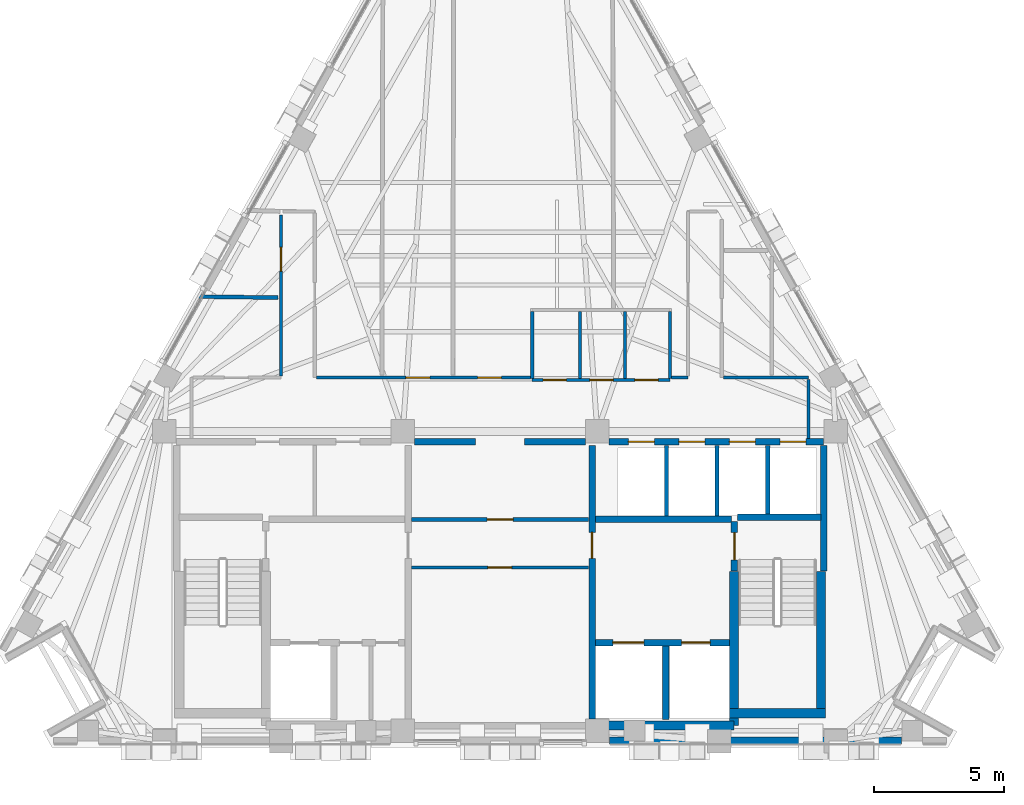
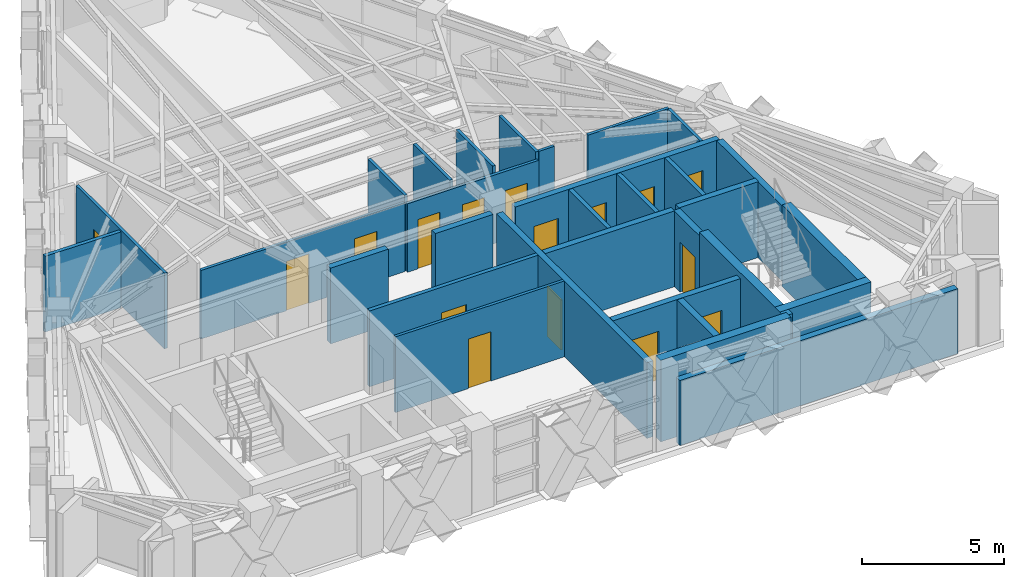
# One storey, part 7 of 10: 31 walls, 16 doors, 16 openings.
"""IFC4 building model written with IfcOpenShell, lengths in metres."""

from ifc_helpers import new_model, si_unit, direction, frame, frame_2d, origin, place, context, subcontext, project, spatial, rectangle, extrude, material, layer, layer_set, type_object, element, fill, save


model = new_model("IFC4")

# Units and contexts
model_context = context("Model", 3, precision=1e-05, world=origin(), true_north=direction((0.0, 1.0)))
body_context = subcontext(model_context, "Body", "Model", "MODEL_VIEW")
ifc_project = project(units=[si_unit("LENGTHUNIT", "METRE"), si_unit("AREAUNIT", "SQUARE_METRE"), si_unit("VOLUMEUNIT", "CUBIC_METRE"), si_unit("PLANEANGLEUNIT", "RADIAN"), si_unit("MASSUNIT", "GRAM", prefix="KILO")], contexts=[model_context])

# Site, building, storey
site_placement = place(None, origin())
site = spatial("IfcSite", under=ifc_project, at=site_placement, CompositionType="ELEMENT")
building_placement = place(site_placement, origin())
building = spatial("IfcBuilding", under=site, at=building_placement, Name="Quenlor Broadcast Tower", CompositionType="ELEMENT")
storey_placement = place(building_placement, frame((0.0, 0.0, 232.39990234375)))
storey = spatial("IfcBuildingStorey", under=building, at=storey_placement, Name="L64", CompositionType="ELEMENT", Elevation=232.39990234375)

# Walls
ifc_material_1 = material(Name="Acoustic Double Stud Gypsum Partition", Category="other")
ifc_layer_1 = layer(ifc_material_1, 0.14990234375)
ifc_layer_set_1 = layer_set([ifc_layer_1], Name="Broadcast Studio Acoustic Partition 150")
wall_type_1 = type_object("IfcWallType", Name="Broadcast Studio Acoustic Partition 150", PredefinedType="PARTITIONING", material=ifc_layer_set_1)
wall_1_placement = place(storey_placement, frame((-8.56005859375, 0.356689453125, 0.0), z_axis=(0.0, 0.0, 1.0), x_axis=(-0.999917486078, 0.012846051329, 0.0)))
element("IfcWall", 1, at=wall_1_placement, inside=storey, type_object=wall_type_1, Name="L64 Interior Wall PW-DV-06", PredefinedType="PARTITIONING", context=body_context, shape_type="SweptSolid", body=[
    extrude(rectangle(XDim=3.059814453125, YDim=0.14990234375, at=frame_2d((1.52978515625, 0.0))), origin(), (0.0, 0.0, 1.0), 3.25),
])
ifc_material_2 = material(Name="Concrete C50/60", Category="concrete")
ifc_layer_2 = layer(ifc_material_2, 0.35009765625)
ifc_layer_set_2 = layer_set([ifc_layer_2], Name="Core Concrete C50/60 Shear Wall 350")
wall_type_2 = type_object("IfcWallType", Name="Core Concrete C50/60 Shear Wall 350", PredefinedType="SHEAR", material=ifc_layer_set_2)
wall_2_placement = place(storey_placement, frame((3.75, -16.14990234375, 0.0), z_axis=(0.0, 0.0, 1.0), x_axis=(1.0, 0.0, 0.0)))
element("IfcWall", 2, at=wall_2_placement, inside=storey, type_object=wall_type_2, Name="L64 Core Shear Wall WS-E1", PredefinedType="SHEAR", context=body_context, shape_type="SweptSolid", body=[
    extrude(rectangle(XDim=5.27490234375, YDim=0.35009765625, at=frame_2d((2.637451171875, 0.0))), origin(), (0.0, 0.0, 1.0), 3.5),
])
wall_3_placement = place(storey_placement, frame((8.85009765625, -15.675048828125, 0.0), z_axis=(0.0, 0.0, 1.0), x_axis=(1.0, 0.0, 0.0)))
element("IfcWall", 3, at=wall_3_placement, inside=storey, type_object=wall_type_2, Name="L64 Core Shear Wall WS-E2", PredefinedType="SHEAR", context=body_context, shape_type="SweptSolid", body=[
    extrude(rectangle(XDim=3.699951171875, YDim=0.35009765625, at=frame_2d((1.85009765625, 0.0))), origin(), (0.0, 0.0, 1.0), 3.5),
])
wall_4_placement = place(storey_placement, frame((12.375, -15.675048828125, 0.0), z_axis=(0.0, 0.0, 1.0), x_axis=(0.0, 1.0, 0.0)))
element("IfcWall", 4, at=wall_4_placement, inside=storey, type_object=wall_type_2, Name="L64 Core Shear Wall WF-E", PredefinedType="SHEAR", context=body_context, shape_type="SweptSolid", body=[
    extrude(rectangle(XDim=5.47509765625, YDim=0.35009765625, at=frame_2d((2.737548828125, 0.0))), origin(), (0.0, 0.0, 1.0), 3.5),
])
wall_5_placement = place(storey_placement, frame((9.02490234375, -16.14990234375, 0.0), z_axis=(0.0, 0.0, 1.0), x_axis=(0.0, 1.0, 0.0)))
element("IfcWall", 5, at=wall_5_placement, inside=storey, type_object=wall_type_2, Name="L64 Core Shear Wall WI-E", PredefinedType="SHEAR", context=body_context, shape_type="SweptSolid", body=[
    extrude(rectangle(XDim=5.949951171875, YDim=0.35009765625, at=frame_2d((2.97509765625, 0.0))), origin(), (0.0, 0.0, 1.0), 3.5),
])

# Wall, opening, door
ifc_material_3 = material(Name="Concrete C40/50", Category="concrete")
ifc_layer_3 = layer(ifc_material_3, 0.25)
ifc_layer_set_3 = layer_set([ifc_layer_3], Name="Fire Rated Concrete C40/50 Core Wall 250")
wall_type_3 = type_object("IfcWallType", Name="Fire Rated Concrete C40/50 Core Wall 250", PredefinedType="PARTITIONING", material=ifc_layer_set_3)
wall_6_placement = place(storey_placement, frame((9.0400390625, -10.179931640625, 0.0), z_axis=(0.0, 0.0, 1.0), x_axis=(0.0, 1.0, 0.0)))
wall_6 = element("IfcWall", 6, at=wall_6_placement, inside=storey, type_object=wall_type_3, Name="L64 Interior Wall CW-ST2-DR", PredefinedType="PARTITIONING", context=body_context, shape_type="SweptSolid", body=[
    extrude(rectangle(XDim=1.89990234375, YDim=0.25, at=frame_2d((0.949951171875, 0.0))), origin(), (0.0, 0.0, 1.0), 3.25),
])
opening_1_placement = place(wall_6_placement, frame((0.419921875, 0.0, 0.0)))
opening_1 = element("IfcOpeningElement", 7, at=opening_1_placement, cuts=wall_6, Name="Opening FD-1", PredefinedType="OPENING", context=body_context, shape_type="SweptSolid", body=[
    extrude(rectangle(XDim=1.050048828125, YDim=2.14990234375, at=frame_2d((0.52490234375, 1.074951171875))), frame((0.0, 0.135009765625, 0.0), z_axis=(0.0, -1.0, 0.0), x_axis=(1.0, 0.0, 0.0)), (0.0, 0.0, 1.0), 0.27001953125),
])
ifc_material_4 = material(Name="Fire Rated Steel Door Leaf", Category="steel")
door_type_1 = type_object("IfcDoorType", Name="Fire Isolated Stair Door 1050x2150", OperationType="NOTDEFINED", PredefinedType="DOOR", material=ifc_material_4)
door_1_placement = place(opening_1_placement, origin())
door_1 = element("IfcDoor", 8, at=door_1_placement, inside=storey, type_object=door_type_1, Name="L64 Door DR-ST2", OperationType="SINGLE_SWING_RIGHT", OverallHeight=2.14990234375, OverallWidth=1.050048828125, PredefinedType="DOOR", context=body_context, shape_type="SweptSolid", body=[
    extrude(rectangle(XDim=1.050048828125, YDim=2.14990234375, at=frame_2d((0.52490234375, 1.074951171875))), frame((0.0, 0.02490234375, 0.0), z_axis=(0.0, -1.0, 0.0), x_axis=(1.0, 0.0, 0.0)), (0.0, 0.0, 1.0), 0.050048828125),
])
fill(opening_1, door_1)

# Walls
wall_7_placement = place(storey_placement, frame((9.159912109375, -8.1201171875, 0.0), z_axis=(0.0, 0.0, 1.0), x_axis=(1.0, 0.0, 0.0)))
element("IfcWall", 9, at=wall_7_placement, inside=storey, type_object=wall_type_3, Name="L64 Interior Wall CW-ST2-N", PredefinedType="PARTITIONING", context=body_context, shape_type="SweptSolid", body=[
    extrude(rectangle(XDim=3.219970703125, YDim=0.25, at=frame_2d((1.60986328125, 0.0))), origin(), (0.0, 0.0, 1.0), 3.25),
])
wall_8_placement = place(storey_placement, frame((12.47998046875, -10.179931640625, 0.0), z_axis=(0.0, 0.0, 1.0), x_axis=(0.0, 1.0, 0.0)))
element("IfcWall", 10, at=wall_8_placement, inside=storey, type_object=wall_type_3, Name="L64 Interior Wall CW-ST2-E2", PredefinedType="PARTITIONING", context=body_context, shape_type="SweptSolid", body=[
    extrude(rectangle(XDim=4.83984375, YDim=0.25, at=frame_2d((2.419921875, 0.0))), origin(), (0.0, 0.0, 1.0), 3.25),
])

# Wall, openings, doors
wall_9_placement = place(storey_placement, frame((3.679931640625, -12.949951171875, 0.0), z_axis=(0.0, 0.0, 1.0), x_axis=(1.0, 0.0, 0.0)))
wall_9 = element("IfcWall", 11, at=wall_9_placement, inside=storey, type_object=wall_type_3, Name="L64 Interior Wall CW-FFE-S", PredefinedType="PARTITIONING", context=body_context, shape_type="SweptSolid", body=[
    extrude(rectangle(XDim=5.16796875, YDim=0.25, at=frame_2d((2.583984375, 0.0))), origin(), (0.0, 0.0, 1.0), 3.25),
])
opening_2_placement = place(wall_9_placement, frame((3.320068359375, 0.0, 0.0)))
opening_2 = element("IfcOpeningElement", 12, at=opening_2_placement, cuts=wall_9, Name="Opening LD-FFL-2", PredefinedType="OPENING", context=body_context, shape_type="SweptSolid", body=[
    extrude(rectangle(XDim=1.10009765625, YDim=2.14990234375, at=frame_2d((0.550048828125, 1.074951171875))), frame((0.0, 0.135009765625, 0.0), z_axis=(0.0, -1.0, 0.0), x_axis=(1.0, 0.0, 0.0)), (0.0, 0.0, 1.0), 0.27001953125),
])
opening_3_placement = place(wall_9_placement, frame((0.669921875, 0.0, 0.0)))
opening_3 = element("IfcOpeningElement", 13, at=opening_3_placement, cuts=wall_9, Name="Opening LD-SVL-1", PredefinedType="OPENING", context=body_context, shape_type="SweptSolid", body=[
    extrude(rectangle(XDim=1.199951171875, YDim=2.14990234375, at=frame_2d((0.60009765625, 1.074951171875))), frame((0.0, 0.135009765625, 0.0), z_axis=(0.0, -1.0, 0.0), x_axis=(1.0, 0.0, 0.0)), (0.0, 0.0, 1.0), 0.27001953125),
])
ifc_material_5 = material(Name="Brushed Stainless Steel", Category="steel")
door_type_2 = type_object("IfcDoorType", Name="Emergency Lift Sliding Landing Door 1100x2150", OperationType="NOTDEFINED", PredefinedType="DOOR", material=ifc_material_5)
door_2_placement = place(opening_2_placement, origin())
door_2 = element("IfcDoor", 14, at=door_2_placement, inside=storey, type_object=door_type_2, Name="L64 Door LD-FFL-2", OperationType="SLIDING_TO_RIGHT", OverallHeight=2.14990234375, OverallWidth=1.10009765625, PredefinedType="DOOR", context=body_context, shape_type="SweptSolid", body=[
    extrude(rectangle(XDim=1.10009765625, YDim=2.14990234375, at=frame_2d((0.550048828125, 1.074951171875))), frame((0.0, 0.02490234375, 0.0), z_axis=(0.0, -1.0, 0.0), x_axis=(1.0, 0.0, 0.0)), (0.0, 0.0, 1.0), 0.050048828125),
])
fill(opening_2, door_2)
ifc_material_6 = material(Name="Brushed Stainless Steel", Category="steel")
door_type_3 = type_object("IfcDoorType", Name="Goods Lift Sliding Landing Door 1200x2150", OperationType="NOTDEFINED", PredefinedType="DOOR", material=ifc_material_6)
door_3_placement = place(opening_3_placement, origin())
door_3 = element("IfcDoor", 15, at=door_3_placement, inside=storey, type_object=door_type_3, Name="L64 Door LD-SVL-1", OperationType="SLIDING_TO_LEFT", OverallHeight=2.14990234375, OverallWidth=1.199951171875, PredefinedType="DOOR", context=body_context, shape_type="SweptSolid", body=[
    extrude(rectangle(XDim=1.199951171875, YDim=2.14990234375, at=frame_2d((0.60009765625, 1.074951171875))), frame((0.0, 0.02490234375, 0.0), z_axis=(0.0, -1.0, 0.0), x_axis=(1.0, 0.0, 0.0)), (0.0, 0.0, 1.0), 0.050048828125),
])
fill(opening_3, door_3)

# Walls
wall_10_placement = place(storey_placement, frame((6.39990234375, -15.919921875, 0.0), z_axis=(0.0, 0.0, 1.0), x_axis=(0.0, 1.0, 0.0)))
element("IfcWall", 16, at=wall_10_placement, inside=storey, type_object=wall_type_3, Name="L64 Interior Wall CW-SV1-E", PredefinedType="PARTITIONING", context=body_context, shape_type="SweptSolid", body=[
    extrude(rectangle(XDim=2.829833984375, YDim=0.25, at=frame_2d((1.4150390625, 0.0))), origin(), (0.0, 0.0, 1.0), 3.25),
])
wall_11_placement = place(storey_placement, frame((3.679931640625, -8.199951171875, 0.0), z_axis=(0.0, 0.0, 1.0), x_axis=(1.0, 0.0, 0.0)))
element("IfcWall", 17, at=wall_11_placement, inside=storey, type_object=wall_type_3, Name="L64 Interior Wall CW-FFE-N", PredefinedType="PARTITIONING", context=body_context, shape_type="SweptSolid", body=[
    extrude(rectangle(XDim=5.239990234375, YDim=0.25, at=frame_2d((2.6201171875, 0.0))), origin(), (0.0, 0.0, 1.0), 3.25),
])

# Wall, opening, door
wall_12_placement = place(storey_placement, frame((3.550048828125, -15.89794921875, 0.0), z_axis=(0.0, 0.0, 1.0), x_axis=(0.0, 1.0, 0.0)))
wall_12 = element("IfcWall", 18, at=wall_12_placement, inside=storey, type_object=wall_type_3, Name="L64 Interior Wall CW-FFE-W", PredefinedType="PARTITIONING", context=body_context, shape_type="SweptSolid", body=[
    extrude(rectangle(XDim=10.557861328125, YDim=0.25, at=frame_2d((5.27880859375, 0.0))), origin(), (0.0, 0.0, 1.0), 3.25),
])
opening_4_placement = place(wall_12_placement, frame((6.197998046875, 0.0, 0.0)))
opening_4 = element("IfcOpeningElement", 19, at=opening_4_placement, cuts=wall_12, Name="Opening FD-2", PredefinedType="OPENING", context=body_context, shape_type="SweptSolid", body=[
    extrude(rectangle(XDim=1.0, YDim=2.14990234375, at=frame_2d((0.5, 1.074951171875))), frame((0.0, 0.135009765625, 0.0), z_axis=(0.0, -1.0, 0.0), x_axis=(1.0, 0.0, 0.0)), (0.0, 0.0, 1.0), 0.27001953125),
])
ifc_material_7 = material(Name="Fire Rated Glazed Steel Door", Category="steel")
door_type_4 = type_object("IfcDoorType", Name="Firefighting Lobby Smoke Door 1000x2150", OperationType="NOTDEFINED", PredefinedType="DOOR", material=ifc_material_7)
door_4_placement = place(opening_4_placement, origin())
door_4 = element("IfcDoor", 20, at=door_4_placement, inside=storey, type_object=door_type_4, Name="L64 Door DR-FFLE", OperationType="SINGLE_SWING_LEFT", OverallHeight=2.14990234375, OverallWidth=1.0, PredefinedType="DOOR", context=body_context, shape_type="SweptSolid", body=[
    extrude(rectangle(XDim=1.0, YDim=2.14990234375, at=frame_2d((0.5, 1.074951171875))), frame((0.0, 0.02490234375, 0.0), z_axis=(0.0, -1.0, 0.0), x_axis=(1.0, 0.0, 0.0)), (0.0, 0.0, 1.0), 0.050048828125),
])
fill(opening_4, door_4)

# Wall, openings, doors
wall_13_placement = place(storey_placement, frame((4.201904296875, -5.199951171875, 0.0), z_axis=(0.0, 0.0, 1.0), x_axis=(1.0, 0.0, 0.0)))
wall_13 = element("IfcWall", 21, at=wall_13_placement, inside=storey, type_object=wall_type_3, Name="L64 Interior Wall CW-N-E", PredefinedType="PARTITIONING", context=body_context, shape_type="SweptSolid", body=[
    extrude(rectangle(XDim=8.278076171875, YDim=0.25, at=frame_2d((4.13916015625, 0.0))), origin(), (0.0, 0.0, 1.0), 3.25),
])
opening_5_placement = place(wall_13_placement, frame((0.748046875, 0.0, 0.0)))
opening_5 = element("IfcOpeningElement", 22, at=opening_5_placement, cuts=wall_13, Name="Opening LD-PL-H1", PredefinedType="OPENING", context=body_context, shape_type="SweptSolid", body=[
    extrude(rectangle(XDim=1.0, YDim=2.14990234375, at=frame_2d((0.5, 1.074951171875))), frame((0.0, 0.135009765625, 0.0), z_axis=(0.0, -1.0, 0.0), x_axis=(1.0, 0.0, 0.0)), (0.0, 0.0, 1.0), 0.27001953125),
])
opening_6_placement = place(wall_13_placement, frame((2.697998046875, 0.0, 0.0)))
opening_6 = element("IfcOpeningElement", 23, at=opening_6_placement, cuts=wall_13, Name="Opening LD-PL-H2", PredefinedType="OPENING", context=body_context, shape_type="SweptSolid", body=[
    extrude(rectangle(XDim=1.0, YDim=2.14990234375, at=frame_2d((0.5, 1.074951171875))), frame((0.0, 0.135009765625, 0.0), z_axis=(0.0, -1.0, 0.0), x_axis=(1.0, 0.0, 0.0)), (0.0, 0.0, 1.0), 0.27001953125),
])
opening_7_placement = place(wall_13_placement, frame((4.64794921875, 0.0, 0.0)))
opening_7 = element("IfcOpeningElement", 24, at=opening_7_placement, cuts=wall_13, Name="Opening LD-PL-H3", PredefinedType="OPENING", context=body_context, shape_type="SweptSolid", body=[
    extrude(rectangle(XDim=1.0, YDim=2.14990234375, at=frame_2d((0.5, 1.074951171875))), frame((0.0, 0.135009765625, 0.0), z_axis=(0.0, -1.0, 0.0), x_axis=(1.0, 0.0, 0.0)), (0.0, 0.0, 1.0), 0.27001953125),
])
opening_8_placement = place(wall_13_placement, frame((6.597900390625, 0.0, 0.0)))
opening_8 = element("IfcOpeningElement", 25, at=opening_8_placement, cuts=wall_13, Name="Opening LD-PL-H4", PredefinedType="OPENING", context=body_context, shape_type="SweptSolid", body=[
    extrude(rectangle(XDim=1.0, YDim=2.14990234375, at=frame_2d((0.5, 1.074951171875))), frame((0.0, 0.135009765625, 0.0), z_axis=(0.0, -1.0, 0.0), x_axis=(1.0, 0.0, 0.0)), (0.0, 0.0, 1.0), 0.27001953125),
])
ifc_material_8 = material(Name="Brushed Stainless Steel", Category="steel")
door_type_5 = type_object("IfcDoorType", Name="Passenger Lift Sliding Landing Door 1000x2150", OperationType="NOTDEFINED", PredefinedType="DOOR", material=ifc_material_8)
door_5_placement = place(opening_5_placement, origin())
door_5 = element("IfcDoor", 26, at=door_5_placement, inside=storey, type_object=door_type_5, Name="L64 Door LD-PL-H1", OperationType="SLIDING_TO_RIGHT", OverallHeight=2.14990234375, OverallWidth=1.0, PredefinedType="DOOR", context=body_context, shape_type="SweptSolid", body=[
    extrude(rectangle(XDim=1.0, YDim=2.14990234375, at=frame_2d((0.5, 1.074951171875))), frame((0.0, 0.02490234375, 0.0), z_axis=(0.0, -1.0, 0.0), x_axis=(1.0, 0.0, 0.0)), (0.0, 0.0, 1.0), 0.050048828125),
])
fill(opening_5, door_5)
door_6_placement = place(opening_6_placement, origin())
door_6 = element("IfcDoor", 27, at=door_6_placement, inside=storey, type_object=door_type_5, Name="L64 Door LD-PL-H2", OperationType="SLIDING_TO_RIGHT", OverallHeight=2.14990234375, OverallWidth=1.0, PredefinedType="DOOR", context=body_context, shape_type="SweptSolid", body=[
    extrude(rectangle(XDim=1.0, YDim=2.14990234375, at=frame_2d((0.5, 1.074951171875))), frame((0.0, 0.02490234375, 0.0), z_axis=(0.0, -1.0, 0.0), x_axis=(1.0, 0.0, 0.0)), (0.0, 0.0, 1.0), 0.050048828125),
])
fill(opening_6, door_6)
door_7_placement = place(opening_7_placement, origin())
door_7 = element("IfcDoor", 28, at=door_7_placement, inside=storey, type_object=door_type_5, Name="L64 Door LD-PL-H3", OperationType="SLIDING_TO_RIGHT", OverallHeight=2.14990234375, OverallWidth=1.0, PredefinedType="DOOR", context=body_context, shape_type="SweptSolid", body=[
    extrude(rectangle(XDim=1.0, YDim=2.14990234375, at=frame_2d((0.5, 1.074951171875))), frame((0.0, 0.02490234375, 0.0), z_axis=(0.0, -1.0, 0.0), x_axis=(1.0, 0.0, 0.0)), (0.0, 0.0, 1.0), 0.050048828125),
])
fill(opening_7, door_7)
door_8_placement = place(opening_8_placement, origin())
door_8 = element("IfcDoor", 29, at=door_8_placement, inside=storey, type_object=door_type_5, Name="L64 Door LD-PL-H4", OperationType="SLIDING_TO_RIGHT", OverallHeight=2.14990234375, OverallWidth=1.0, PredefinedType="DOOR", context=body_context, shape_type="SweptSolid", body=[
    extrude(rectangle(XDim=1.0, YDim=2.14990234375, at=frame_2d((0.5, 1.074951171875))), frame((0.0, 0.02490234375, 0.0), z_axis=(0.0, -1.0, 0.0), x_axis=(1.0, 0.0, 0.0)), (0.0, 0.0, 1.0), 0.050048828125),
])
fill(opening_8, door_8)

# Walls
for number, where, z_axis, x_axis, name in (
    (30, (-3.298095703125, -5.199951171875, 0.0), (0.0, 0.0, 1.0), (1.0, 0.0, 0.0), "L64 Interior Wall CW-N-M1"),
    (31, (0.949951171875, -5.199951171875, 0.0), (0.0, 0.0, 1.0), (1.0, 0.0, 0.0), "L64 Interior Wall CW-N-M2"),
):
    element("IfcWall", number, at=place(storey_placement, frame(where, z_axis=z_axis, x_axis=x_axis)), inside=storey, type_object=wall_type_3, Name=name, PredefinedType="PARTITIONING", context=body_context, shape_type="SweptSolid", body=[
        extrude(rectangle(XDim=2.34814453125, YDim=0.25, at=frame_2d((1.174072265625, 0.0))), origin(), (0.0, 0.0, 1.0), 3.25),
    ])
ifc_material_9 = material(Name="Gypsum Fireboard Partition", Category="other")
ifc_layer_4 = layer(ifc_material_9, 0.159912109375)
ifc_layer_set_4 = layer_set([ifc_layer_4], Name="Fire Rated Shaft and Corridor Partition 160")
wall_type_4 = type_object("IfcWallType", Name="Fire Rated Shaft and Corridor Partition 160", PredefinedType="PARTITIONING", material=ifc_layer_set_4)
for number, where, z_axis, x_axis, name in (
    (32, (6.425048828125, -8.072998046875, 0.0), (0.0, 0.0, 1.0), (0.0, 1.0, 0.0), "L64 Interior Wall CW-PLH-D1"),
    (33, (8.375, -8.072998046875, 0.0), (0.0, 0.0, 1.0), (0.0, 1.0, 0.0), "L64 Interior Wall CW-PLH-D2"),
):
    element("IfcWall", number, at=place(storey_placement, frame(where, z_axis=z_axis, x_axis=x_axis)), inside=storey, type_object=wall_type_4, Name=name, PredefinedType="PARTITIONING", context=body_context, shape_type="SweptSolid", body=[
        extrude(rectangle(XDim=2.73291015625, YDim=0.159912109375, at=frame_2d((1.366455078125, 0.0))), origin(), (0.0, 0.0, 1.0), 3.25),
    ])
wall_14_placement = place(storey_placement, frame((10.324951171875, -7.992919921875, 0.0), z_axis=(0.0, 0.0, 1.0), x_axis=(0.0, 1.0, 0.0)))
element("IfcWall", 34, at=wall_14_placement, inside=storey, type_object=wall_type_4, Name="L64 Interior Wall CW-PLH-D3", PredefinedType="PARTITIONING", context=body_context, shape_type="SweptSolid", body=[
    extrude(rectangle(XDim=2.65283203125, YDim=0.159912109375, at=frame_2d((1.326416015625, 0.0))), origin(), (0.0, 0.0, 1.0), 3.25),
])

# Wall, opening, door
wall_15_placement = place(storey_placement, frame((-3.419921875, -8.199951171875, 0.0), z_axis=(0.0, 0.0, 1.0), x_axis=(1.0, 0.0, 0.0)))
wall_15 = element("IfcWall", 35, at=wall_15_placement, inside=storey, type_object=wall_type_4, Name="L64 Interior Wall CW-M-BACK", PredefinedType="PARTITIONING", context=body_context, shape_type="SweptSolid", body=[
    extrude(rectangle(XDim=6.83984375, YDim=0.159912109375, at=frame_2d((3.419921875, 0.0))), origin(), (0.0, 0.0, 1.0), 3.25),
])
opening_9_placement = place(wall_15_placement, frame((2.919921875, 0.0, 0.0)))
opening_9 = element("IfcOpeningElement", 36, at=opening_9_placement, cuts=wall_15, Name="Opening FD-2", PredefinedType="OPENING", context=body_context, shape_type="SweptSolid", body=[
    extrude(rectangle(XDim=1.0, YDim=2.14990234375, at=frame_2d((0.5, 1.074951171875))), frame((0.0, 0.08984375, 0.0), z_axis=(0.0, -1.0, 0.0), x_axis=(1.0, 0.0, 0.0)), (0.0, 0.0, 1.0), 0.179931640625),
])
door_9_placement = place(opening_9_placement, origin())
door_9 = element("IfcDoor", 37, at=door_9_placement, inside=storey, type_object=door_type_4, Name="L64 Door DR-CCRP", OperationType="SINGLE_SWING_LEFT", OverallHeight=2.14990234375, OverallWidth=1.0, PredefinedType="DOOR", context=body_context, shape_type="SweptSolid", body=[
    extrude(rectangle(XDim=1.0, YDim=2.14990234375, at=frame_2d((0.5, 1.074951171875))), frame((0.0, 0.02490234375, 0.0), z_axis=(0.0, -1.0, 0.0), x_axis=(1.0, 0.0, 0.0)), (0.0, 0.0, 1.0), 0.050048828125),
])
fill(opening_9, door_9)

ifc_material_10 = material(Name="Gypsum Plasterboard Partition", Category="other")
ifc_layer_5 = layer(ifc_material_10, 0.1201171875)
ifc_layer_set_5 = layer_set([ifc_layer_5], Name="Standard Office Partition 120")
wall_type_5 = type_object("IfcWallType", Name="Standard Office Partition 120", PredefinedType="PARTITIONING", material=ifc_layer_set_5)
wall_16_placement = place(storey_placement, frame((-3.419921875, -10.050048828125, 0.0), z_axis=(0.0, 0.0, 1.0), x_axis=(1.0, 0.0, 0.0)))
wall_16 = element("IfcWall", 38, at=wall_16_placement, inside=storey, type_object=wall_type_5, Name="L64 Interior Wall CW-MS-N", PredefinedType="PARTITIONING", context=body_context, shape_type="SweptSolid", body=[
    extrude(rectangle(XDim=6.83984375, YDim=0.1201171875, at=frame_2d((3.419921875, 0.0))), origin(), (0.0, 0.0, 1.0), 3.25),
])
opening_10_placement = place(wall_16_placement, frame((2.949951171875, 0.0, 0.0)))
opening_10 = element("IfcOpeningElement", 39, at=opening_10_placement, cuts=wall_16, Name="Opening ID-1", PredefinedType="OPENING", context=body_context, shape_type="SweptSolid", body=[
    extrude(rectangle(XDim=0.919921875, YDim=2.1201171875, at=frame_2d((0.4599609375, 1.06005859375))), frame((0.0, 0.070068359375, 0.0), z_axis=(0.0, -1.0, 0.0), x_axis=(1.0, 0.0, 0.0)), (0.0, 0.0, 1.0), 0.14013671875),
])
ifc_material_11 = material(Name="Solid Core Timber Oak", Category="wood")
door_type_6 = type_object("IfcDoorType", Name="Single Leaf Timber Office Door 920x2120", OperationType="NOTDEFINED", PredefinedType="DOOR", material=ifc_material_11)
door_10_placement = place(opening_10_placement, origin())
door_10 = element("IfcDoor", 40, at=door_10_placement, inside=storey, type_object=door_type_6, Name="L64 Door DR-RCMA", OperationType="SINGLE_SWING_LEFT", OverallHeight=2.1201171875, OverallWidth=0.919921875, PredefinedType="DOOR", context=body_context, shape_type="SweptSolid", body=[
    extrude(rectangle(XDim=0.919921875, YDim=2.1201171875, at=frame_2d((0.4599609375, 1.06005859375))), frame((0.0, 0.02490234375, 0.0), z_axis=(0.0, -1.0, 0.0), x_axis=(1.0, 0.0, 0.0)), (0.0, 0.0, 1.0), 0.050048828125),
])
fill(opening_10, door_10)

# Wall, openings, doors
wall_17_placement = place(storey_placement, frame((1.239990234375, -2.820068359375, 0.0), z_axis=(0.0, 0.0, 1.0), x_axis=(1.0, 0.0, 0.0)))
wall_17 = element("IfcWall", 41, at=wall_17_placement, inside=storey, type_object=wall_type_5, Name="L64 Interior Wall PW-WC-S", PredefinedType="PARTITIONING", context=body_context, shape_type="SweptSolid", body=[
    extrude(rectangle(XDim=5.320068359375, YDim=0.1201171875, at=frame_2d((2.66015625, 0.0))), origin(), (0.0, 0.0, 1.0), 2.94287109375),
])
opening_11_placement = place(wall_17_placement, frame((0.419921875, 0.0, 0.0)))
opening_11 = element("IfcOpeningElement", 42, at=opening_11_placement, cuts=wall_17, Name="Opening ID-3", PredefinedType="OPENING", context=body_context, shape_type="SweptSolid", body=[
    extrude(rectangle(XDim=0.89990234375, YDim=2.1201171875, at=frame_2d((0.449951171875, 1.06005859375))), frame((0.0, 0.070068359375, 0.0), z_axis=(0.0, -1.0, 0.0), x_axis=(1.0, 0.0, 0.0)), (0.0, 0.0, 1.0), 0.14013671875),
])
opening_12_placement = place(wall_17_placement, frame((2.219970703125, 0.0, 0.0)))
opening_12 = element("IfcOpeningElement", 43, at=opening_12_placement, cuts=wall_17, Name="Opening ID-3", PredefinedType="OPENING", context=body_context, shape_type="SweptSolid", body=[
    extrude(rectangle(XDim=0.89990234375, YDim=2.1201171875, at=frame_2d((0.449951171875, 1.06005859375))), frame((0.0, 0.070068359375, 0.0), z_axis=(0.0, -1.0, 0.0), x_axis=(1.0, 0.0, 0.0)), (0.0, 0.0, 1.0), 0.14013671875),
])
opening_13_placement = place(wall_17_placement, frame((3.9599609375, 0.0, 0.0)))
opening_13 = element("IfcOpeningElement", 44, at=opening_13_placement, cuts=wall_17, Name="Opening ID-3", PredefinedType="OPENING", context=body_context, shape_type="SweptSolid", body=[
    extrude(rectangle(XDim=0.89990234375, YDim=2.1201171875, at=frame_2d((0.449951171875, 1.06005859375))), frame((0.0, 0.070068359375, 0.0), z_axis=(0.0, -1.0, 0.0), x_axis=(1.0, 0.0, 0.0)), (0.0, 0.0, 1.0), 0.14013671875),
])
ifc_material_12 = material(Name="Moisture Resistant Timber Oak", Category="wood")
door_type_7 = type_object("IfcDoorType", Name="Washroom Privacy Door 900x2120", OperationType="NOTDEFINED", PredefinedType="DOOR", material=ifc_material_12)
door_11_placement = place(opening_11_placement, origin())
door_11 = element("IfcDoor", 45, at=door_11_placement, inside=storey, type_object=door_type_7, Name="L64 Door DR-AWC", OperationType="SINGLE_SWING_LEFT", OverallHeight=2.1201171875, OverallWidth=0.89990234375, PredefinedType="DOOR", context=body_context, shape_type="SweptSolid", body=[
    extrude(rectangle(XDim=0.89990234375, YDim=2.1201171875, at=frame_2d((0.449951171875, 1.06005859375))), frame((0.0, 0.02490234375, 0.0), z_axis=(0.0, -1.0, 0.0), x_axis=(1.0, 0.0, 0.0)), (0.0, 0.0, 1.0), 0.050048828125),
])
fill(opening_11, door_11)
door_12_placement = place(opening_12_placement, origin())
door_12 = element("IfcDoor", 46, at=door_12_placement, inside=storey, type_object=door_type_7, Name="L64 Door DR-MWC", OperationType="SINGLE_SWING_LEFT", OverallHeight=2.1201171875, OverallWidth=0.89990234375, PredefinedType="DOOR", context=body_context, shape_type="SweptSolid", body=[
    extrude(rectangle(XDim=0.89990234375, YDim=2.1201171875, at=frame_2d((0.449951171875, 1.06005859375))), frame((0.0, 0.02490234375, 0.0), z_axis=(0.0, -1.0, 0.0), x_axis=(1.0, 0.0, 0.0)), (0.0, 0.0, 1.0), 0.050048828125),
])
fill(opening_12, door_12)
door_13_placement = place(opening_13_placement, origin())
door_13 = element("IfcDoor", 47, at=door_13_placement, inside=storey, type_object=door_type_7, Name="L64 Door DR-FWC", OperationType="SINGLE_SWING_RIGHT", OverallHeight=2.1201171875, OverallWidth=0.89990234375, PredefinedType="DOOR", context=body_context, shape_type="SweptSolid", body=[
    extrude(rectangle(XDim=0.89990234375, YDim=2.1201171875, at=frame_2d((0.449951171875, 1.06005859375))), frame((0.0, 0.02490234375, 0.0), z_axis=(0.0, -1.0, 0.0), x_axis=(1.0, 0.0, 0.0)), (0.0, 0.0, 1.0), 0.050048828125),
])
fill(opening_13, door_13)

# Walls
for number, where, z_axis, x_axis, name in (
    (48, (1.239990234375, -2.758056640625, 0.0), (0.0, 0.0, 1.0), (0.0, 1.0, 0.0), "L64 Interior Wall PW-WC-W"),
    (49, (3.080078125, -2.758056640625, 0.0), (0.0, 0.0, 1.0), (0.0, 1.0, 0.0), "L64 Interior Wall PW-WC-M1"),
    (50, (4.820068359375, -2.758056640625, 0.0), (0.0, 0.0, 1.0), (0.0, 1.0, 0.0), "L64 Interior Wall PW-WC-M2"),
    (51, (6.56005859375, -2.758056640625, 0.0), (0.0, 0.0, 1.0), (0.0, 1.0, 0.0), "L64 Interior Wall PW-WC-E"),
):
    element("IfcWall", number, at=place(storey_placement, frame(where, z_axis=z_axis, x_axis=x_axis)), inside=storey, type_object=wall_type_5, Name=name, PredefinedType="PARTITIONING", context=body_context, shape_type="SweptSolid", body=[
        extrude(rectangle(XDim=2.576171875, YDim=0.1201171875, at=frame_2d((1.2880859375, 0.0))), origin(), (0.0, 0.0, 1.0), 3.25),
    ])

# Wall, opening, door
wall_18_placement = place(storey_placement, frame((-8.449951171875, -2.66796875, 0.0), z_axis=(0.0, 0.0, 1.0), x_axis=(0.0, 1.0, 0.0)))
wall_18 = element("IfcWall", 52, at=wall_18_placement, inside=storey, type_object=wall_type_5, Name="L64 Interior Wall PW-CR-03", PredefinedType="PARTITIONING", context=body_context, shape_type="SweptSolid", body=[
    extrude(rectangle(XDim=6.21044921875, YDim=0.1201171875, at=frame_2d((3.105224609375, 0.0))), origin(), (0.0, 0.0, 1.0), 3.25),
])
opening_14_placement = place(wall_18_placement, frame((4.047119140625, 0.0, 0.0)))
opening_14 = element("IfcOpeningElement", 53, at=opening_14_placement, cuts=wall_18, Name="Opening ID-1", PredefinedType="OPENING", context=body_context, shape_type="SweptSolid", body=[
    extrude(rectangle(XDim=0.919921875, YDim=2.1201171875, at=frame_2d((0.4599609375, 1.06005859375))), frame((0.0, 0.070068359375, 0.0), z_axis=(0.0, -1.0, 0.0), x_axis=(1.0, 0.0, 0.0)), (0.0, 0.0, 1.0), 0.14013671875),
])
door_14_placement = place(opening_14_placement, origin())
door_14 = element("IfcDoor", 54, at=door_14_placement, inside=storey, type_object=door_type_6, Name="L64 Door DR-RM05", OperationType="SINGLE_SWING_LEFT", OverallHeight=2.1201171875, OverallWidth=0.919921875, PredefinedType="DOOR", context=body_context, shape_type="SweptSolid", body=[
    extrude(rectangle(XDim=0.919921875, YDim=2.1201171875, at=frame_2d((0.4599609375, 1.06005859375))), frame((0.0, 0.02490234375, 0.0), z_axis=(0.0, -1.0, 0.0), x_axis=(1.0, 0.0, 0.0)), (0.0, 0.0, 1.0), 0.050048828125),
])
fill(opening_14, door_14)

# Wall, openings, doors
wall_19_placement = place(storey_placement, frame((-7.087890625, -2.72998046875, 0.0), z_axis=(0.0, 0.0, 1.0), x_axis=(1.0, 0.0, 0.0)))
wall_19 = element("IfcWall", 55, at=wall_19_placement, inside=storey, type_object=wall_type_5, Name="L64 Interior Wall PW-CR-06", PredefinedType="PARTITIONING", context=body_context, shape_type="SweptSolid", body=[
    extrude(rectangle(XDim=8.265869140625, YDim=0.1201171875, at=frame_2d((4.1328125, 0.0))), origin(), (0.0, 0.0, 1.0), 2.94287109375),
])
opening_15_placement = place(wall_19_placement, frame((6.220947265625, 0.0, 0.0)))
opening_15 = element("IfcOpeningElement", 56, at=opening_15_placement, cuts=wall_19, Name="Opening ID-1", PredefinedType="OPENING", context=body_context, shape_type="SweptSolid", body=[
    extrude(rectangle(XDim=0.919921875, YDim=2.1201171875, at=frame_2d((0.4599609375, 1.06005859375))), frame((0.0, 0.070068359375, 0.0), z_axis=(0.0, -1.0, 0.0), x_axis=(1.0, 0.0, 0.0)), (0.0, 0.0, 1.0), 0.14013671875),
])
opening_16_placement = place(wall_19_placement, frame((3.4560546875, 0.0, 0.0)))
opening_16 = element("IfcOpeningElement", 57, at=opening_16_placement, cuts=wall_19, Name="Opening ID-1", PredefinedType="OPENING", context=body_context, shape_type="SweptSolid", body=[
    extrude(rectangle(XDim=0.919921875, YDim=2.1201171875, at=frame_2d((0.4599609375, 1.06005859375))), frame((0.0, 0.070068359375, 0.0), z_axis=(0.0, -1.0, 0.0), x_axis=(1.0, 0.0, 0.0)), (0.0, 0.0, 1.0), 0.14013671875),
])
door_15_placement = place(opening_15_placement, origin())
door_15 = element("IfcDoor", 58, at=door_15_placement, inside=storey, type_object=door_type_6, Name="L64 Door DR-RM01", OperationType="SINGLE_SWING_LEFT", OverallHeight=2.1201171875, OverallWidth=0.919921875, PredefinedType="DOOR", context=body_context, shape_type="SweptSolid", body=[
    extrude(rectangle(XDim=0.919921875, YDim=2.1201171875, at=frame_2d((0.4599609375, 1.06005859375))), frame((0.0, 0.02490234375, 0.0), z_axis=(0.0, -1.0, 0.0), x_axis=(1.0, 0.0, 0.0)), (0.0, 0.0, 1.0), 0.050048828125),
])
fill(opening_15, door_15)
door_16_placement = place(opening_16_placement, origin())
door_16 = element("IfcDoor", 59, at=door_16_placement, inside=storey, type_object=door_type_6, Name="L64 Door DR-RM02", OperationType="SINGLE_SWING_RIGHT", OverallHeight=2.1201171875, OverallWidth=0.919921875, PredefinedType="DOOR", context=body_context, shape_type="SweptSolid", body=[
    extrude(rectangle(XDim=0.919921875, YDim=2.1201171875, at=frame_2d((0.4599609375, 1.06005859375))), frame((0.0, 0.02490234375, 0.0), z_axis=(0.0, -1.0, 0.0), x_axis=(1.0, 0.0, 0.0)), (0.0, 0.0, 1.0), 0.050048828125),
])
fill(opening_16, door_16)

# Walls
wall_20_placement = place(storey_placement, frame((6.6220703125, -2.72998046875, 0.0), z_axis=(0.0, 0.0, 1.0), x_axis=(1.0, 0.0, 0.0)))
element("IfcWall", 60, at=wall_20_placement, inside=storey, type_object=wall_type_5, Name="L64 Interior Wall PW-CR-08", PredefinedType="PARTITIONING", context=body_context, shape_type="SweptSolid", body=[
    extrude(rectangle(XDim=0.6279296875, YDim=0.1201171875, at=frame_2d((0.31396484375, 0.0))), origin(), (0.0, 0.0, 1.0), 3.25),
])
wall_21_placement = place(storey_placement, frame((8.612060546875, -2.72998046875, 0.0), z_axis=(0.0, 0.0, 1.0), x_axis=(1.0, 0.0, 0.0)))
element("IfcWall", 61, at=wall_21_placement, inside=storey, type_object=wall_type_5, Name="L64 Interior Wall PW-CR-13", PredefinedType="PARTITIONING", context=body_context, shape_type="SweptSolid", body=[
    extrude(rectangle(XDim=3.287841796875, YDim=0.1201171875, at=frame_2d((1.64404296875, 0.0))), origin(), (0.0, 0.0, 1.0), 3.25),
])
wall_22_placement = place(storey_placement, frame((11.89990234375, -2.7919921875, 0.0), z_axis=(0.0, 0.0, 1.0), x_axis=(0.0, -1.0, 0.0)))
element("IfcWall", 62, at=wall_22_placement, inside=storey, type_object=wall_type_5, Name="L64 Interior Wall PW-CR-14", PredefinedType="PARTITIONING", context=body_context, shape_type="SweptSolid", body=[
    extrude(rectangle(XDim=2.281005859375, YDim=0.1201171875, at=frame_2d((1.140625, 0.0))), origin(), (0.0, 0.0, 1.0), 3.25),
])
ifc_material_13 = material(Name="Precast concrete C40/50", Category="concrete")
ifc_layer_6 = layer(ifc_material_13, 0.260009765625)
ifc_layer_set_6 = layer_set([ifc_layer_6], Name="Terracotta Precast Concrete C40/50 Upper Wall 260")
wall_type_6 = type_object("IfcWallType", Name="Terracotta Precast Concrete C40/50 Upper Wall 260", PredefinedType="STANDARD", material=ifc_layer_set_6)
wall_23_placement = place(storey_placement, frame((15.49267578125, -16.72509765625, 0.0), z_axis=(0.0, 0.0, 1.0), x_axis=(-1.0, 0.0, 0.0)))
element("IfcWall", 63, at=wall_23_placement, inside=storey, type_object=wall_type_6, Name="L64 Exterior Wall L64-EW-SA", PredefinedType="STANDARD", context=body_context, shape_type="SweptSolid", body=[
    extrude(rectangle(XDim=11.272705078125, YDim=0.260009765625, at=frame_2d((5.63623046875, 0.0))), origin(), (0.0, 0.0, 1.0), 2.789794921875),
])

save(model, "model.ifc")
